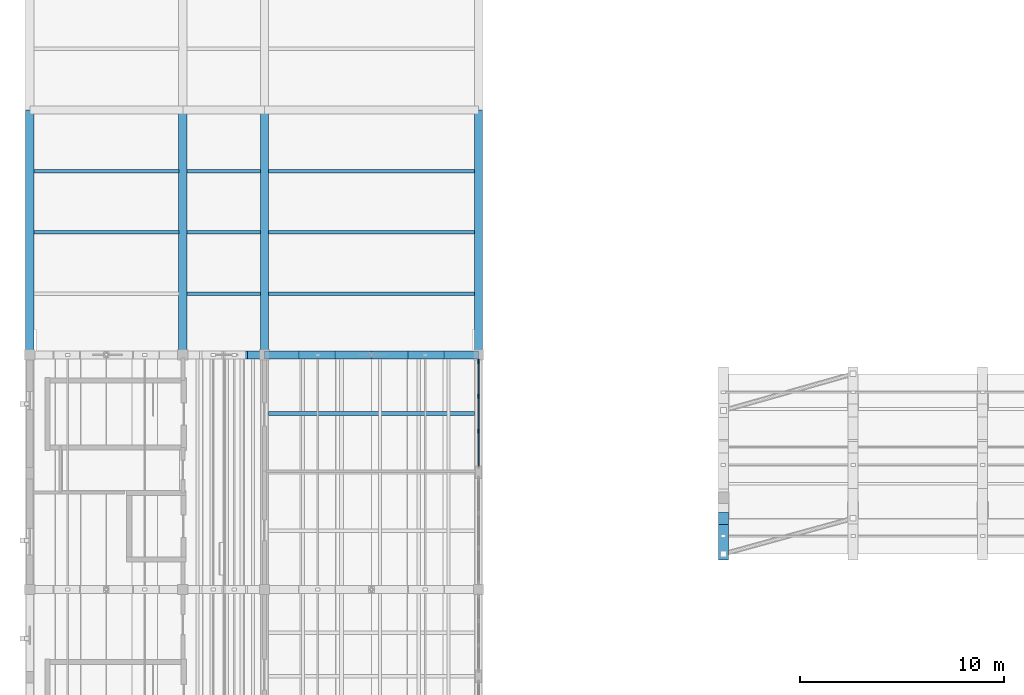
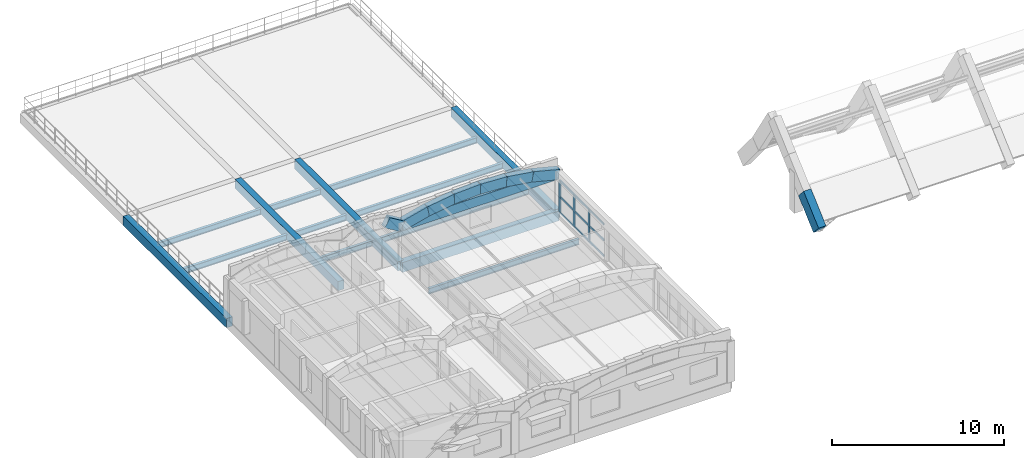
# One storey, part 5 of 40: 15 beams, 14 members, 1 element without a shape of its own.
"""IFC4 building model written with IfcOpenShell, lengths in metres."""

from ifc_helpers import new_model, si_unit, direction, frame, origin, origin_2d, place, context, subcontext, project, spatial, rectangle, i_section, extrude, material, layer, layer_set, material_profile, profile_set, type_object, element, aggregate, save


model = new_model("IFC4")

# Units and contexts
model_context = context("Model", 3, precision=1e-05, world=origin(), true_north=direction((0.0, 1.0)))
body_context = subcontext(model_context, "Body", "Model", "MODEL_VIEW")
ifc_project = project(units=[si_unit("LENGTHUNIT", "METRE"), si_unit("AREAUNIT", "SQUARE_METRE"), si_unit("VOLUMEUNIT", "CUBIC_METRE"), si_unit("PLANEANGLEUNIT", "RADIAN"), si_unit("MASSUNIT", "GRAM", prefix="KILO")], contexts=[model_context])

# Site, building, storey
site_placement = place(None, origin())
site = spatial("IfcSite", under=ifc_project, at=site_placement, CompositionType="ELEMENT")
building_placement = place(site_placement, origin())
building = spatial("IfcBuilding", under=site, at=building_placement, Name="Trellovar Central Fire Station", CompositionType="ELEMENT")
storey_placement = place(building_placement, frame((0.0, 0.0, 12.75)))
storey = spatial("IfcBuildingStorey", under=building, at=storey_placement, Name="L04", CompositionType="ELEMENT", Elevation=12.75)

# Beams
ifc_material_1 = material(Name="Concrete C40/50", Category="concrete")
ifc_material_profile_1 = material_profile(ifc_material_1, rectangle(XDim=0.39990234375, YDim=0.699951171875, at=origin_2d()), Name="RC400X700")
ifc_profile_set_1 = profile_set([ifc_material_profile_1], Name="Concrete C40/50")
beam_type_1 = type_object("IfcBeamType", Name="BM-G3", PredefinedType="BEAM", material=ifc_profile_set_1)
beam_1_placement = place(storey_placement, frame((12.5, 29.0, -0.35009765625), z_axis=(1.0, 0.0, 0.0), x_axis=(0.0, 1.0, 0.0)))
element("IfcBeam", 1, at=beam_1_placement, inside=storey, type_object=beam_type_1, Name="L04 beam G-3", PredefinedType="BEAM", context=body_context, shape_type="SweptSolid", body=[
    extrude(rectangle(XDim=0.39990234375, YDim=0.699951171875, at=origin_2d()), origin(), (0.0, 0.0, 1.0), 10.5),
])
ifc_material_2 = material(Name="Concrete C40/50", Category="concrete")
ifc_material_profile_2 = material_profile(ifc_material_2, rectangle(XDim=0.39990234375, YDim=0.64990234375, at=origin_2d()), Name="RC400X650")
ifc_profile_set_2 = profile_set([ifc_material_profile_2], Name="Concrete C40/50")
beam_type_2 = type_object("IfcBeamType", Name="BM-G4", PredefinedType="BEAM", material=ifc_profile_set_2)
for number, where, z_axis, x_axis, name in (
    (2, (1.0, 29.0, -0.324951171875), (0.0, 1.0, 0.0), (-1.0, 0.0, 0.0), "L04 beam G-4"),
    (3, (8.5, 29.0, -0.324951171875), (0.0, 1.0, 0.0), (-1.0, 0.0, 0.0), "L04 beam G-4"),
    (4, (12.5, 29.0, -0.324951171875), (0.0, 1.0, 0.0), (-1.0, 0.0, 0.0), "L04 beam G-4"),
    (5, (23.0, 29.0, -0.324951171875), (0.0, 1.0, 0.0), (-1.0, 0.0, 0.0), "L04 beam G-4"),
):
    element("IfcBeam", number, at=place(storey_placement, frame(where, z_axis=z_axis, x_axis=x_axis)), inside=storey, type_object=beam_type_2, Name=name, PredefinedType="BEAM", context=body_context, shape_type="SweptSolid", body=[
        extrude(rectangle(XDim=0.39990234375, YDim=0.64990234375, at=origin_2d()), origin(), (0.0, 0.0, 1.0), 12.0),
    ])
beam_2_placement = place(storey_placement, frame((12.5, 29.0, 2.574951171875), z_axis=(1.0, 0.0, 0.0), x_axis=(0.0, 1.0, 0.0)))
element("IfcBeam", 6, at=beam_2_placement, inside=storey, type_object=beam_type_2, Name="L04 beam G-4", PredefinedType="BEAM", context=body_context, shape_type="SweptSolid", body=[
    extrude(rectangle(XDim=0.39990234375, YDim=0.64990234375, at=origin_2d()), origin(), (0.0, 0.0, 1.0), 10.5),
])
ifc_material_3 = material(Name="Steel ASTM A992 Grade 50", Category="steel")
ifc_material_profile_3 = material_profile(ifc_material_3, i_section(OverallWidth=0.177490234375, OverallDepth=0.40380859375, WebThickness=0.007568359375, FlangeThickness=0.010986328125, FilletRadius=0.011474609375, at=origin_2d()), Name="W16X36")
ifc_profile_set_3 = profile_set([ifc_material_profile_3], Name="Steel ASTM A992 Grade 50")
beam_type_3 = type_object("IfcBeamType", Name="BM-SW11", PredefinedType="JOIST", material=ifc_profile_set_3)
for number, where, z_axis, x_axis, name in (
    (7, (1.195068359375, 35.0, -0.44189453125), (1.0, 0.0, 0.0), (0.0, 1.0, 0.0), "L04 beam SB-11"),
    (8, (1.195068359375, 38.0, -0.44189453125), (1.0, 0.0, 0.0), (0.0, 1.0, 0.0), "L04 beam SB-11"),
):
    element("IfcBeam", number, at=place(storey_placement, frame(where, z_axis=z_axis, x_axis=x_axis)), inside=storey, type_object=beam_type_3, Name=name, PredefinedType="JOIST", context=body_context, shape_type="SweptSolid", body=[
        extrude(i_section(OverallWidth=0.177490234375, OverallDepth=0.40380859375, WebThickness=0.007568359375, FlangeThickness=0.010986328125, FilletRadius=0.011474609375, at=origin_2d()), origin(), (0.0, 0.0, 1.0), 7.10986328125),
    ])
for number, where, z_axis, x_axis, name in (
    (9, (8.695068359375, 32.0, -0.44189453125), (1.0, 0.0, 0.0), (0.0, 1.0, 0.0), "L04 beam SB-11"),
    (10, (8.695068359375, 35.0, -0.44189453125), (1.0, 0.0, 0.0), (0.0, 1.0, 0.0), "L04 beam SB-11"),
    (11, (8.695068359375, 38.0, -0.44189453125), (1.0, 0.0, 0.0), (0.0, 1.0, 0.0), "L04 beam SB-11"),
):
    element("IfcBeam", number, at=place(storey_placement, frame(where, z_axis=z_axis, x_axis=x_axis)), inside=storey, type_object=beam_type_3, Name=name, PredefinedType="JOIST", context=body_context, shape_type="SweptSolid", body=[
        extrude(i_section(OverallWidth=0.177490234375, OverallDepth=0.40380859375, WebThickness=0.007568359375, FlangeThickness=0.010986328125, FilletRadius=0.011474609375, at=origin_2d()), origin(), (0.0, 0.0, 1.0), 3.60986328125),
    ])
for number, where, z_axis, x_axis, name in (
    (12, (12.695068359375, 26.125, -0.44189453125), (1.0, 0.0, 0.0), (0.0, 1.0, 0.0), "L04 beam SB-11"),
    (13, (12.695068359375, 32.0, -0.44189453125), (1.0, 0.0, 0.0), (0.0, 1.0, 0.0), "L04 beam SB-11"),
    (14, (12.695068359375, 35.0, -0.44189453125), (1.0, 0.0, 0.0), (0.0, 1.0, 0.0), "L04 beam SB-11"),
    (15, (12.695068359375, 38.0, -0.44189453125), (1.0, 0.0, 0.0), (0.0, 1.0, 0.0), "L04 beam SB-11"),
):
    element("IfcBeam", number, at=place(storey_placement, frame(where, z_axis=z_axis, x_axis=x_axis)), inside=storey, type_object=beam_type_3, Name=name, PredefinedType="JOIST", context=body_context, shape_type="SweptSolid", body=[
        extrude(i_section(OverallWidth=0.177490234375, OverallDepth=0.40380859375, WebThickness=0.007568359375, FlangeThickness=0.010986328125, FilletRadius=0.011474609375, at=origin_2d()), origin(), (0.0, 0.0, 1.0), 10.10986328125),
    ])

# Curtain wall, members
ifc_material_4 = material(Name="Thermally broken bronze anodized aluminum", Category="aluminium")
ifc_layer = layer(ifc_material_4, 0.159912109375)
ifc_layer_set = layer_set([ifc_layer], Name="Thermally broken bronze anodized aluminum")
curtain_wall_type = type_object("IfcCurtainWallType", Name="CW-02", PredefinedType="NOTDEFINED", material=ifc_layer_set)
curtain_wall_placement = place(storey_placement, origin())
curtain_wall = element("IfcCurtainWall", 16, at=curtain_wall_placement, inside=storey, type_object=curtain_wall_type, Name="L04 curtain wall CW-2", PredefinedType="NOTDEFINED")
ifc_material_5 = material(Name="Thermally broken bronze anodized aluminum", Category="aluminium")
ifc_material_profile_4 = material_profile(ifc_material_5, rectangle(XDim=0.074951171875, YDim=0.199951171875, at=origin_2d()), Name="ALU75X200")
ifc_profile_set_4 = profile_set([ifc_material_profile_4], Name="Thermally broken bronze anodized aluminum")
member_type_1 = type_object("IfcMemberType", Name="CWM-1", PredefinedType="MULLION", material=ifc_profile_set_4)
member_1_placement = place(storey_placement, frame((23.0, 25.25830078125, 0.0), z_axis=(0.0, 0.0, 1.0), x_axis=(1.0, 0.0, 0.0)))
member_1 = element("IfcMember", 17, at=member_1_placement, type_object=member_type_1, Name="CW3-L04-0056 mullion 2", PredefinedType="MULLION", context=body_context, shape_type="SweptSolid", body=[
    extrude(rectangle(XDim=0.074951171875, YDim=0.199951171875, at=origin_2d()), origin(), (0.0, 0.0, 1.0), 2.239990234375),
])
member_2_placement = place(storey_placement, frame((23.0, 26.966796875, 0.0), z_axis=(0.0, 0.0, 1.0), x_axis=(1.0, 0.0, 0.0)))
member_2 = element("IfcMember", 18, at=member_2_placement, type_object=member_type_1, Name="CW3-L04-0056 mullion 3", PredefinedType="MULLION", context=body_context, shape_type="SweptSolid", body=[
    extrude(rectangle(XDim=0.074951171875, YDim=0.199951171875, at=origin_2d()), origin(), (0.0, 0.0, 1.0), 2.239990234375),
])
member_3_placement = place(storey_placement, frame((23.0, 28.675048828125, 0.0), z_axis=(0.0, 0.0, 1.0), x_axis=(1.0, 0.0, 0.0)))
member_3 = element("IfcMember", 19, at=member_3_placement, type_object=member_type_1, Name="CW3-L04-0056 mullion 4", PredefinedType="MULLION", context=body_context, shape_type="SweptSolid", body=[
    extrude(rectangle(XDim=0.074951171875, YDim=0.199951171875, at=origin_2d()), origin(), (0.0, 0.0, 1.0), 2.239990234375),
])
ifc_material_6 = material(Name="Thermally broken bronze anodized aluminum", Category="aluminium")
ifc_material_profile_5 = material_profile(ifc_material_6, rectangle(XDim=0.06005859375, YDim=0.139892578125, at=origin_2d()), Name="ALU60X140")
ifc_profile_set_5 = profile_set([ifc_material_profile_5], Name="Thermally broken bronze anodized aluminum")
member_type_2 = type_object("IfcMemberType", Name="CWT-1", PredefinedType="USERDEFINED", material=ifc_profile_set_5)
member_4_placement = place(storey_placement, frame((23.0, 23.550048828125, 0.0), z_axis=(0.0, 1.0, 0.0), x_axis=(-1.0, 0.0, 0.0)))
member_4 = element("IfcMember", 20, at=member_4_placement, type_object=member_type_2, Name="CW3-L04-0056 transom 1", ObjectType="TRANSOM", PredefinedType="USERDEFINED", context=body_context, shape_type="SweptSolid", body=[
    extrude(rectangle(XDim=0.06005859375, YDim=0.139892578125, at=origin_2d()), origin(), (0.0, 0.0, 1.0), 5.125),
])
member_5_placement = place(storey_placement, frame((23.0, 23.550048828125, 1.1201171875), z_axis=(0.0, 1.0, 0.0), x_axis=(-1.0, 0.0, 0.0)))
member_5 = element("IfcMember", 21, at=member_5_placement, type_object=member_type_2, Name="CW3-L04-0056 transom 2", ObjectType="TRANSOM", PredefinedType="USERDEFINED", context=body_context, shape_type="SweptSolid", body=[
    extrude(rectangle(XDim=0.06005859375, YDim=0.139892578125, at=origin_2d()), origin(), (0.0, 0.0, 1.0), 5.125),
])
member_6_placement = place(storey_placement, frame((23.0, 23.550048828125, 2.239990234375), z_axis=(0.0, 1.0, 0.0), x_axis=(-1.0, 0.0, 0.0)))
member_6 = element("IfcMember", 22, at=member_6_placement, type_object=member_type_2, Name="CW3-L04-0056 transom 3", ObjectType="TRANSOM", PredefinedType="USERDEFINED", context=body_context, shape_type="SweptSolid", body=[
    extrude(rectangle(XDim=0.06005859375, YDim=0.139892578125, at=origin_2d()), origin(), (0.0, 0.0, 1.0), 5.125),
])
aggregate(curtain_wall, [member_1, member_2, member_3, member_4, member_5, member_6])

# Members
ifc_material_7 = material(Name="Concrete C40/50", Category="concrete")
ifc_material_profile_6 = material_profile(ifc_material_7, rectangle(XDim=0.5, YDim=0.89990234375, at=origin_2d()), Name="RC500X900")
ifc_profile_set_6 = profile_set([ifc_material_profile_6], Name="Concrete C40/50")
member_type_3 = type_object("IfcMemberType", Name="MEM-AR1", PredefinedType="CHORD", material=ifc_profile_set_6)
member_7_placement = place(storey_placement, frame((35.0, 19.239990234375, 0.300048828125), z_axis=(0.0, 0.744457083913, 0.667670315509), x_axis=(-1.0, 0.0, 0.0)))
element("IfcMember", 23, at=member_7_placement, inside=storey, type_object=member_type_3, Name="Parabolic arch rib AR-01 chord 04", PredefinedType="CHORD", context=body_context, shape_type="SweptSolid", body=[
    extrude(rectangle(XDim=0.5, YDim=0.89990234375, at=origin_2d()), origin(), (0.0, 0.0, 1.0), 2.346435546875),
])
ifc_material_8 = material(Name="Concrete C40/50", Category="concrete")
ifc_material_profile_7 = material_profile(ifc_material_8, rectangle(XDim=0.39990234375, YDim=0.699951171875, at=origin_2d()), Name="RC400X700")
ifc_profile_set_7 = profile_set([ifc_material_profile_7], Name="Concrete C40/50")
member_type_4 = type_object("IfcMemberType", Name="MEM-LR1", PredefinedType="CHORD", material=ifc_profile_set_7)
member_8_placement = place(storey_placement, frame((11.5, 29.0, 3.179931640625), z_axis=(0.857548340193, 0.0, -0.514403386683), x_axis=(0.0, 1.0, 0.0)))
element("IfcMember", 24, at=member_8_placement, inside=storey, type_object=member_type_4, Name="V4 Catalan vault rib 2 chord 4", PredefinedType="CHORD", context=body_context, shape_type="SweptSolid", body=[
    extrude(rectangle(XDim=0.39990234375, YDim=0.699951171875, at=origin_2d()), origin(), (0.0, 0.0, 1.0), 1.166015625),
])
member_9_placement = place(storey_placement, frame((12.5, 29.0, 2.580078125), z_axis=(0.969245105532, 0.0, 0.246097390076), x_axis=(0.0, 1.0, 0.0)))
element("IfcMember", 25, at=member_9_placement, inside=storey, type_object=member_type_4, Name="V4 Catalan vault rib 3 chord 1", PredefinedType="CHORD", context=body_context, shape_type="SweptSolid", body=[
    extrude(rectangle(XDim=0.39990234375, YDim=0.699951171875, at=origin_2d()), origin(), (0.0, 0.0, 1.0), 1.805419921875),
])
member_10_placement = place(storey_placement, frame((14.25, 29.0, 3.0244140625), z_axis=(0.988593852022, 0.0, 0.150606094644), x_axis=(0.0, 1.0, 0.0)))
element("IfcMember", 26, at=member_10_placement, inside=storey, type_object=member_type_4, Name="V4 Catalan vault rib 3 chord 2", PredefinedType="CHORD", context=body_context, shape_type="SweptSolid", body=[
    extrude(rectangle(XDim=0.39990234375, YDim=0.699951171875, at=origin_2d()), origin(), (0.0, 0.0, 1.0), 1.770263671875),
])
for number, where, z_axis, x_axis, name in (
    (27, (16.0, 29.0, 3.291015625), (0.998713120681, 0.0, 0.05071590066), (0.0, 1.0, 0.0), "V4 Catalan vault rib 3 chord 3"),
    (28, (17.75, 29.0, 3.3798828125), (0.998713120681, 0.0, -0.05071590066), (0.0, 1.0, 0.0), "V4 Catalan vault rib 3 chord 4"),
):
    element("IfcMember", number, at=place(storey_placement, frame(where, z_axis=z_axis, x_axis=x_axis)), inside=storey, type_object=member_type_4, Name=name, PredefinedType="CHORD", context=body_context, shape_type="SweptSolid", body=[
        extrude(rectangle(XDim=0.39990234375, YDim=0.699951171875, at=origin_2d()), origin(), (0.0, 0.0, 1.0), 1.752197265625),
    ])
member_11_placement = place(storey_placement, frame((19.5, 29.0, 3.291015625), z_axis=(0.988593852022, 0.0, -0.150606094644), x_axis=(0.0, 1.0, 0.0)))
element("IfcMember", 29, at=member_11_placement, inside=storey, type_object=member_type_4, Name="V4 Catalan vault rib 3 chord 5", PredefinedType="CHORD", context=body_context, shape_type="SweptSolid", body=[
    extrude(rectangle(XDim=0.39990234375, YDim=0.699951171875, at=origin_2d()), origin(), (0.0, 0.0, 1.0), 1.770263671875),
])
member_12_placement = place(storey_placement, frame((21.25, 29.0, 3.0244140625), z_axis=(0.969245105532, 0.0, -0.246097390076), x_axis=(0.0, 1.0, 0.0)))
element("IfcMember", 30, at=member_12_placement, inside=storey, type_object=member_type_4, Name="V4 Catalan vault rib 3 chord 6", PredefinedType="CHORD", context=body_context, shape_type="SweptSolid", body=[
    extrude(rectangle(XDim=0.39990234375, YDim=0.699951171875, at=origin_2d()), origin(), (0.0, 0.0, 1.0), 1.805419921875),
])

save(model, "model.ifc")
